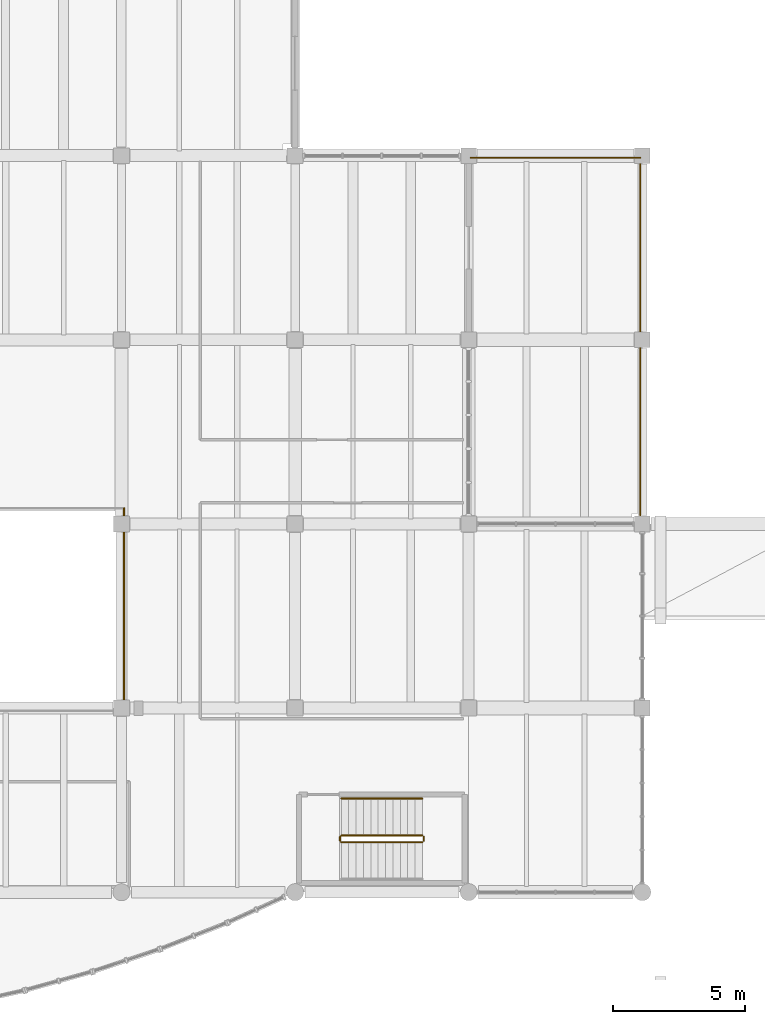
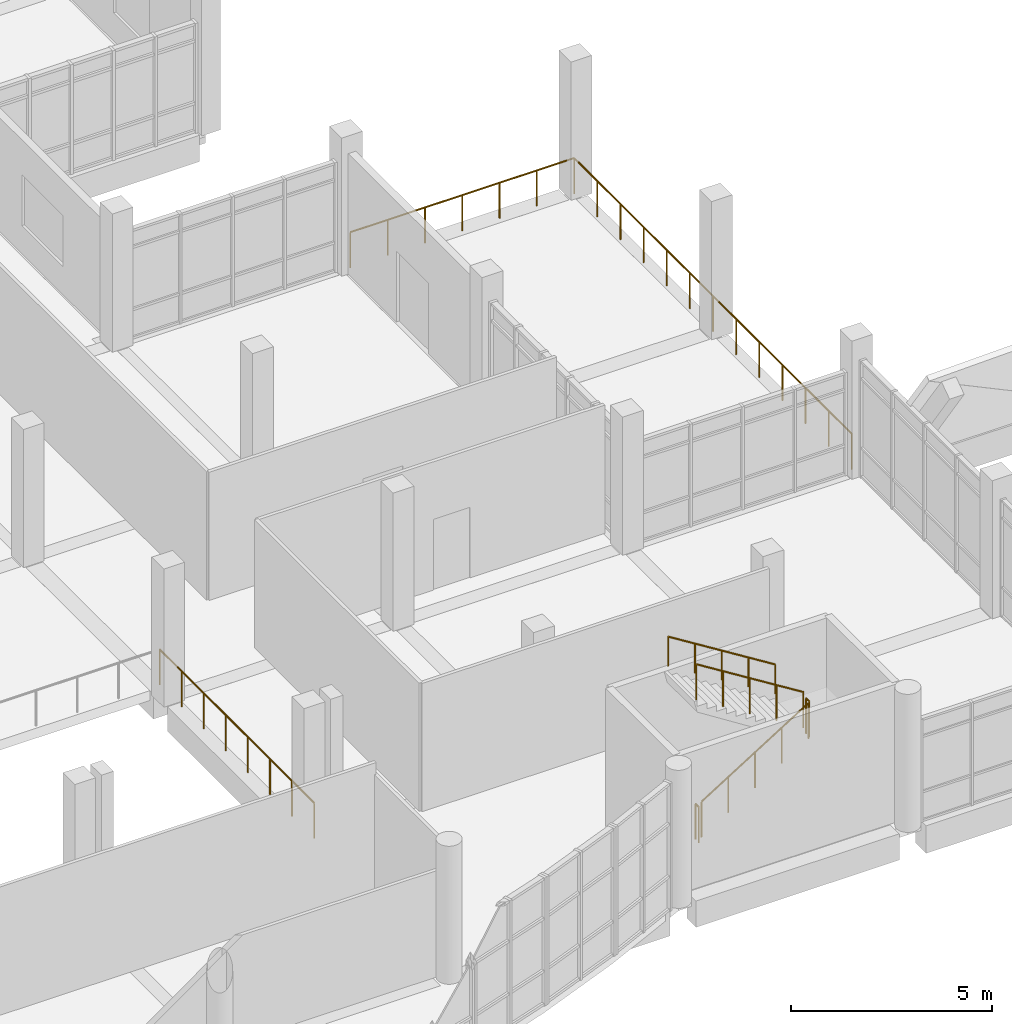
# One storey, part 63 of 67: 8 railings.
"""IFC4 building model written with IfcOpenShell, lengths in metres."""

from ifc_helpers import new_model, si_unit, direction, frame, origin, origin_2d, place, context, subcontext, project, spatial, circle, extrude, material, type_object, element, save


model = new_model("IFC4")

# Units and contexts
model_context = context("Model", 3, precision=1e-05, world=origin(), true_north=direction((0.0, 1.0)))
body_context = subcontext(model_context, "Body", "Model", "MODEL_VIEW")
ifc_project = project(units=[si_unit("LENGTHUNIT", "METRE"), si_unit("AREAUNIT", "SQUARE_METRE"), si_unit("VOLUMEUNIT", "CUBIC_METRE"), si_unit("PLANEANGLEUNIT", "RADIAN"), si_unit("MASSUNIT", "GRAM", prefix="KILO")], contexts=[model_context])

# Site, building, storey
site_placement = place(None, origin())
site = spatial("IfcSite", under=ifc_project, at=site_placement, CompositionType="ELEMENT")
building_placement = place(site_placement, origin())
building = spatial("IfcBuilding", under=site, at=building_placement, Name="Ciguamira Faculty of Natural Sciences", CompositionType="ELEMENT")
storey_placement = place(building_placement, frame((0.0, 0.0, 8.39990234375)))
storey = spatial("IfcBuildingStorey", under=building, at=storey_placement, Name="L02", CompositionType="ELEMENT", Elevation=8.39990234375)

# Railings
ifc_material_1 = material(Name="Stainless steel balustrade", Category="steel")
railing_type_1 = type_object("IfcRailingType", Name="Guardrail_GR01", PredefinedType="GUARDRAIL", material=ifc_material_1)
railing_1_placement = place(storey_placement, frame((123.219970703125, 24.080078125, 0.0)))
element("IfcRailing", 1, at=railing_1_placement, inside=storey, type_object=railing_type_1, Name="L02 East Escarpment Observation Terrace east guardrail", PredefinedType="GUARDRAIL", context=body_context, shape_type="SweptSolid", body=[
    extrude(circle(Radius=0.02392578125, at=origin_2d()), frame((0.0, 0.0, 1.076171875), z_axis=(0.0, 1.0, 0.0), x_axis=(-1.0, 0.0, 0.0)), (0.0, 0.0, 1.0), 13.83984375),
    extrude(circle(Radius=0.02099609375, at=origin_2d()), origin(), (0.0, 0.0, 1.0), 1.052001953125),
    extrude(circle(Radius=0.02099609375, at=origin_2d()), frame((0.0, 1.1533203125, 0.0)), (0.0, 0.0, 1.0), 1.052001953125),
    extrude(circle(Radius=0.02099609375, at=origin_2d()), frame((0.0, 2.306640625, 0.0)), (0.0, 0.0, 1.0), 1.052001953125),
    extrude(circle(Radius=0.02099609375, at=origin_2d()), frame((0.0, 3.4599609375, 0.0)), (0.0, 0.0, 1.0), 1.052001953125),
    extrude(circle(Radius=0.02099609375, at=origin_2d()), frame((0.0, 4.61328125, 0.0)), (0.0, 0.0, 1.0), 1.052001953125),
    extrude(circle(Radius=0.02099609375, at=origin_2d()), frame((0.0, 5.7666015625, 0.0)), (0.0, 0.0, 1.0), 1.052001953125),
    extrude(circle(Radius=0.02099609375, at=origin_2d()), frame((0.0, 6.919921875, 0.0)), (0.0, 0.0, 1.0), 1.052001953125),
    extrude(circle(Radius=0.02099609375, at=origin_2d()), frame((0.0, 8.0732421875, 0.0)), (0.0, 0.0, 1.0), 1.052001953125),
    extrude(circle(Radius=0.02099609375, at=origin_2d()), frame((0.0, 9.2265625, 0.0)), (0.0, 0.0, 1.0), 1.052001953125),
    extrude(circle(Radius=0.02099609375, at=origin_2d()), frame((0.0, 10.3798828125, 0.0)), (0.0, 0.0, 1.0), 1.052001953125),
    extrude(circle(Radius=0.02099609375, at=origin_2d()), frame((0.0, 11.533203125, 0.0)), (0.0, 0.0, 1.0), 1.052001953125),
    extrude(circle(Radius=0.02099609375, at=origin_2d()), frame((0.0, 12.6865234375, 0.0)), (0.0, 0.0, 1.0), 1.052001953125),
    extrude(circle(Radius=0.02099609375, at=origin_2d()), frame((0.0, 13.83984375, 0.0)), (0.0, 0.0, 1.0), 1.052001953125),
])
railing_2_placement = place(storey_placement, frame((116.780029296875, 37.919921875, 0.0)))
element("IfcRailing", 2, at=railing_2_placement, inside=storey, type_object=railing_type_1, Name="L02 East Escarpment Observation Terrace north guardrail", PredefinedType="GUARDRAIL", context=body_context, shape_type="SweptSolid", body=[
    extrude(circle(Radius=0.02392578125, at=origin_2d()), frame((0.0, 0.0, 1.076171875), z_axis=(1.0, 0.0, 0.0), x_axis=(0.0, 1.0, 0.0)), (0.0, 0.0, 1.0), 6.43994140625),
    extrude(circle(Radius=0.02099609375, at=origin_2d()), origin(), (0.0, 0.0, 1.0), 1.052001953125),
    extrude(circle(Radius=0.02099609375, at=origin_2d()), frame((1.0732421875, 0.0, 0.0)), (0.0, 0.0, 1.0), 1.052001953125),
    extrude(circle(Radius=0.02099609375, at=origin_2d()), frame((2.146728515625, 0.0, 0.0)), (0.0, 0.0, 1.0), 1.052001953125),
    extrude(circle(Radius=0.02099609375, at=origin_2d()), frame((3.219970703125, 0.0, 0.0)), (0.0, 0.0, 1.0), 1.052001953125),
    extrude(circle(Radius=0.02099609375, at=origin_2d()), frame((4.293212890625, 0.0, 0.0)), (0.0, 0.0, 1.0), 1.052001953125),
    extrude(circle(Radius=0.02099609375, at=origin_2d()), frame((5.36669921875, 0.0, 0.0)), (0.0, 0.0, 1.0), 1.052001953125),
    extrude(circle(Radius=0.02099609375, at=origin_2d()), frame((6.43994140625, 0.0, 0.0)), (0.0, 0.0, 1.0), 1.052001953125),
])
railing_3_placement = place(storey_placement, frame((111.860107421875, 11.89990234375, 0.175048828125)))
element("IfcRailing", 3, at=railing_3_placement, inside=storey, type_object=railing_type_1, Name="L02 ST-A2 stair guard 1", PredefinedType="GUARDRAIL", context=body_context, shape_type="SweptSolid", body=[
    extrude(circle(Radius=0.02392578125, at=origin_2d()), frame((0.0, 0.0, 1.076171875), z_axis=(0.847979421464, 0.0, 0.530029150871), x_axis=(0.0, 1.0, 0.0)), (0.0, 0.0, 1.0), 3.632080078125),
    extrude(circle(Radius=0.02099609375, at=origin_2d()), origin(), (0.0, 0.0, 1.0), 1.052001953125),
    extrude(circle(Radius=0.02099609375, at=origin_2d()), frame((0.77001953125, 0.0, 0.481201171875)), (0.0, 0.0, 1.0), 1.052001953125),
    extrude(circle(Radius=0.02099609375, at=origin_2d()), frame((1.5400390625, 0.0, 0.96240234375)), (0.0, 0.0, 1.0), 1.052001953125),
    extrude(circle(Radius=0.02099609375, at=origin_2d()), frame((2.309814453125, 0.0, 1.44384765625)), (0.0, 0.0, 1.0), 1.052001953125),
    extrude(circle(Radius=0.02099609375, at=origin_2d()), frame((3.079833984375, 0.0, 1.925048828125)), (0.0, 0.0, 1.0), 1.052001953125),
])
railing_4_placement = place(storey_placement, frame((114.989990234375, 11.949951171875, 2.10009765625)))
element("IfcRailing", 4, at=railing_4_placement, inside=storey, type_object=railing_type_1, Name="L02 ST-A2 stair guard 2", PredefinedType="GUARDRAIL", context=body_context, shape_type="SweptSolid", body=[
    extrude(circle(Radius=0.02392578125, at=origin_2d()), frame((0.0, 0.0, 1.076171875), z_axis=(0.0, 1.0, 0.0), x_axis=(-1.0, 0.0, 0.0)), (0.0, 0.0, 1.0), 0.16015625),
    extrude(circle(Radius=0.02099609375, at=origin_2d()), origin(), (0.0, 0.0, 1.0), 1.052001953125),
    extrude(circle(Radius=0.02099609375, at=origin_2d()), frame((0.0, 0.16015625, 0.0)), (0.0, 0.0, 1.0), 1.052001953125),
])
railing_5_placement = place(storey_placement, frame((114.93994140625, 12.159912109375, 2.275146484375)))
element("IfcRailing", 5, at=railing_5_placement, inside=storey, type_object=railing_type_1, Name="L02 ST-A2 stair guard 3", PredefinedType="GUARDRAIL", context=body_context, shape_type="SweptSolid", body=[
    extrude(circle(Radius=0.02392578125, at=origin_2d()), frame((0.0, 0.0, 1.076171875), z_axis=(-0.847979421464, 0.0, 0.530029150871), x_axis=(0.0, -1.0, 0.0)), (0.0, 0.0, 1.0), 3.632080078125),
    extrude(circle(Radius=0.02099609375, at=origin_2d()), origin(), (0.0, 0.0, 1.0), 1.052001953125),
    extrude(circle(Radius=0.02099609375, at=origin_2d()), frame((-0.77001953125, 0.0, 0.481201171875)), (0.0, 0.0, 1.0), 1.052001953125),
    extrude(circle(Radius=0.02099609375, at=origin_2d()), frame((-1.5400390625, 0.0, 0.96240234375)), (0.0, 0.0, 1.0), 1.052001953125),
    extrude(circle(Radius=0.02099609375, at=origin_2d()), frame((-2.309814453125, 0.0, 1.44384765625)), (0.0, 0.0, 1.0), 1.052001953125),
    extrude(circle(Radius=0.02099609375, at=origin_2d()), frame((-3.079833984375, 0.0, 1.925048828125)), (0.0, 0.0, 1.0), 1.052001953125),
])
railing_6_placement = place(storey_placement, frame((111.81005859375, 11.949951171875, 0.0)))
element("IfcRailing", 6, at=railing_6_placement, inside=storey, type_object=railing_type_1, Name="L02 ST-A2 stair guard 4", PredefinedType="GUARDRAIL", context=body_context, shape_type="SweptSolid", body=[
    extrude(circle(Radius=0.02392578125, at=origin_2d()), frame((0.0, 0.0, 1.076171875), z_axis=(0.0, 1.0, 0.0), x_axis=(-1.0, 0.0, 0.0)), (0.0, 0.0, 1.0), 0.16015625),
    extrude(circle(Radius=0.02099609375, at=origin_2d()), origin(), (0.0, 0.0, 1.0), 1.052001953125),
    extrude(circle(Radius=0.02099609375, at=origin_2d()), frame((0.0, 0.16015625, 0.0)), (0.0, 0.0, 1.0), 1.052001953125),
])
railing_7_placement = place(storey_placement, frame((103.60009765625, 16.89990234375, 0.0)))
element("IfcRailing", 7, at=railing_7_placement, inside=storey, type_object=railing_type_1, Name="L02 atrium void guardrail E", PredefinedType="GUARDRAIL", context=body_context, shape_type="SweptSolid", body=[
    extrude(circle(Radius=0.02392578125, at=origin_2d()), frame((0.0, 0.0, 1.076171875), z_axis=(0.0, 1.0, 0.0), x_axis=(-1.0, 0.0, 0.0)), (0.0, 0.0, 1.0), 7.7001953125),
    extrude(circle(Radius=0.02099609375, at=origin_2d()), origin(), (0.0, 0.0, 1.0), 1.052001953125),
    extrude(circle(Radius=0.02099609375, at=origin_2d()), frame((0.0, 1.10009765625, 0.0)), (0.0, 0.0, 1.0), 1.052001953125),
    extrude(circle(Radius=0.02099609375, at=origin_2d()), frame((0.0, 2.199951171875, 0.0)), (0.0, 0.0, 1.0), 1.052001953125),
    extrude(circle(Radius=0.02099609375, at=origin_2d()), frame((0.0, 3.300048828125, 0.0)), (0.0, 0.0, 1.0), 1.052001953125),
    extrude(circle(Radius=0.02099609375, at=origin_2d()), frame((0.0, 4.400146484375, 0.0)), (0.0, 0.0, 1.0), 1.052001953125),
    extrude(circle(Radius=0.02099609375, at=origin_2d()), frame((0.0, 5.500244140625, 0.0)), (0.0, 0.0, 1.0), 1.052001953125),
    extrude(circle(Radius=0.02099609375, at=origin_2d()), frame((0.0, 6.60009765625, 0.0)), (0.0, 0.0, 1.0), 1.052001953125),
    extrude(circle(Radius=0.02099609375, at=origin_2d()), frame((0.0, 7.7001953125, 0.0)), (0.0, 0.0, 1.0), 1.052001953125),
])
ifc_material_2 = material(Name="Stainless steel handrail", Category="steel")
railing_type_2 = type_object("IfcRailingType", Name="Handrail_HR01", PredefinedType="HANDRAIL", material=ifc_material_2)
railing_8_placement = place(storey_placement, frame((114.93994140625, 13.56005859375, 2.4501953125)))
element("IfcRailing", 8, at=railing_8_placement, inside=storey, type_object=railing_type_2, Name="L02 ST-A2 stair handrail 2", PredefinedType="HANDRAIL", context=body_context, shape_type="SweptSolid", body=[
    extrude(circle(Radius=0.02392578125, at=origin_2d()), frame((0.0, 0.0, 0.89111328125), z_axis=(-0.848009633417, 0.0, 0.529980812513), x_axis=(0.0, -1.0, 0.0)), (0.0, 0.0, 1.0), 3.6318359375),
    extrude(circle(Radius=0.02099609375, at=origin_2d()), origin(), (0.0, 0.0, 1.0), 0.866943359375),
    extrude(circle(Radius=0.02099609375, at=origin_2d()), frame((-0.77001953125, 0.0, 0.481201171875)), (0.0, 0.0, 1.0), 0.866943359375),
    extrude(circle(Radius=0.02099609375, at=origin_2d()), frame((-1.5400390625, 0.0, 0.96240234375)), (0.0, 0.0, 1.0), 0.866943359375),
    extrude(circle(Radius=0.02099609375, at=origin_2d()), frame((-2.309814453125, 0.0, 1.443603515625)), (0.0, 0.0, 1.0), 0.866943359375),
    extrude(circle(Radius=0.02099609375, at=origin_2d()), frame((-3.079833984375, 0.0, 1.9248046875)), (0.0, 0.0, 1.0), 0.866943359375),
])

save(model, "model.ifc")
